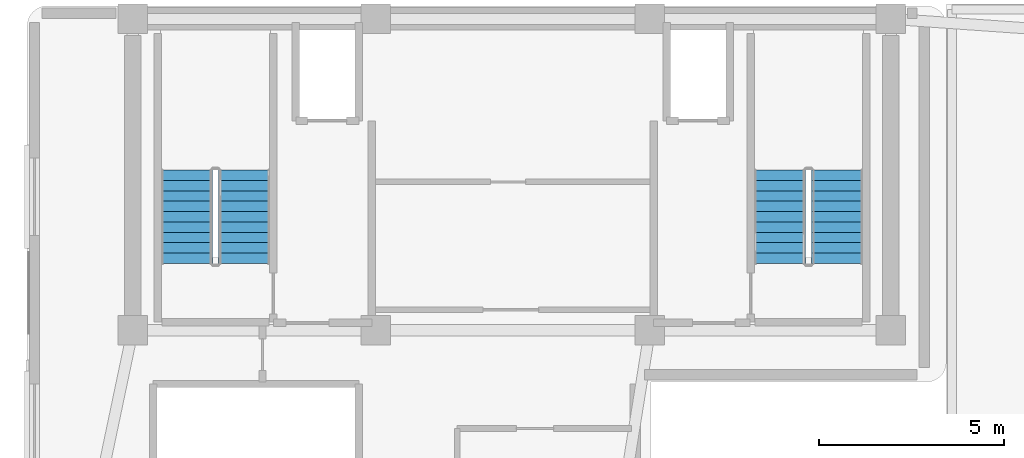
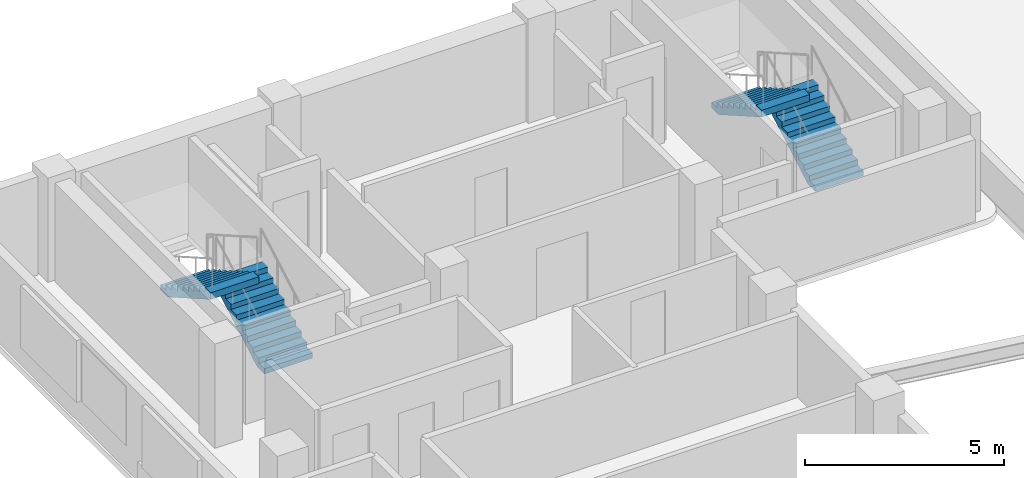
# One storey, part 4 of 6: 4 stair flights, 2 elements without a shape of their own.
"""IFC4 building model written with IfcOpenShell, lengths in metres."""

import ifcopenshell
import ifcopenshell.guid

model = None  # the IFC model being written
_history = None  # IfcOwnerHistory: only IFC2X3 demands one
_inside = {}  # id of a spatial element -> (the spatial element, [elements in it])
_under = {}  # id of a project, library or spatial element -> (it, [spatial elements below it])
_declared = {}  # id of a project -> (the project, [libraries it declares])
_typed = {}  # id of a type object -> (the type object, [elements of that type])
_made_of = {}  # id of a material, layer set ... -> (it, [elements and type objects made of it])


def new_model(schema):
    """Start an empty IFC model of exactly this schema.

    Asked for "IFC4X3", IfcOpenShell would pick the latest addendum, in which some entities
    have other attributes; the version numbers below select the first issue.
    IFC2X3 requires an IfcOwnerHistory on every rooted entity: one is made here for all.
    """
    global model, _history
    if schema == "IFC4X3":
        model = ifcopenshell.file(schema_version=(4, 3, 0, 0))
    else:
        model = ifcopenshell.file(schema=schema)
    _inside.clear()
    _under.clear()
    _declared.clear()
    _typed.clear()
    _made_of.clear()
    _history = None
    if model.schema == "IFC2X3":
        org = make("IfcOrganization", Name="unknown")
        user = make(
            "IfcPersonAndOrganization",
            ThePerson=make("IfcPerson", FamilyName="unknown"),
            TheOrganization=org,
        )
        app = make(
            "IfcApplication",
            ApplicationDeveloper=org,
            Version="unknown",
            ApplicationFullName="unknown",
            ApplicationIdentifier="unknown",
        )
        _history = make(
            "IfcOwnerHistory",
            OwningUser=user,
            OwningApplication=app,
            ChangeAction="ADDED",
            CreationDate=0,
        )
    return model


def make(cls, **values):
    """One entity of the class cls with the attributes given. An attribute that is None is left unset."""
    return model.create_entity(
        cls, **{name: value for name, value in values.items() if value is not None}
    )


def rooted(cls, **values):
    """An entity with a GlobalId (a new one), such as an element, a storey or a relation."""
    return make(cls, GlobalId=ifcopenshell.guid.new(), OwnerHistory=_history, **values)


def si_unit(unit_type, name, prefix=None):
    """IfcSIUnit, for example si_unit("LENGTHUNIT", "METRE", prefix="MILLI")."""
    return make("IfcSIUnit", UnitType=unit_type, Prefix=prefix, Name=name)


def assignment(units):
    """IfcUnitAssignment: the units of a project."""
    return None if units is None else make("IfcUnitAssignment", Units=units)


def point(xyz):
    """IfcCartesianPoint."""
    return None if xyz is None else make("IfcCartesianPoint", Coordinates=xyz)


def direction(xyz):
    """IfcDirection."""
    return None if xyz is None else make("IfcDirection", DirectionRatios=xyz)


def frame(location, z_axis=None, x_axis=None):
    """IfcAxis2Placement3D, a coordinate frame: its origin and axes. An axis left out is left unset."""
    return make(
        "IfcAxis2Placement3D",
        Location=point(location),
        Axis=direction(z_axis),
        RefDirection=direction(x_axis),
    )


def origin():
    """The frame at (0, 0, 0) with its axes left unset."""
    return frame((0.0, 0.0, 0.0))


def place(relative_to, where):
    """IfcLocalPlacement: puts the frame where relative to a parent placement (None: the world)."""
    return make(
        "IfcLocalPlacement", PlacementRelTo=relative_to, RelativePlacement=where
    )


def context(
    kind, dimensions, precision=None, world=None, true_north=None, identifier=None
):
    """IfcGeometricRepresentationContext, for example the 3D "Model" context."""
    return make(
        "IfcGeometricRepresentationContext",
        ContextIdentifier=identifier,
        ContextType=kind,
        CoordinateSpaceDimension=dimensions,
        Precision=precision,
        WorldCoordinateSystem=world,
        TrueNorth=true_north,
    )


def subcontext(parent, identifier, kind, view, scale=None):
    """IfcGeometricRepresentationSubContext, for example "Body" below "Model"."""
    return make(
        "IfcGeometricRepresentationSubContext",
        ContextIdentifier=identifier,
        ContextType=kind,
        ParentContext=parent,
        TargetScale=scale,
        TargetView=view,
    )


def project(units=None, contexts=None):
    """IfcProject with its units and contexts."""
    return rooted(
        "IfcProject",
        Name="project",
        RepresentationContexts=contexts,
        UnitsInContext=assignment(units),
    )


def spatial(cls, under=None, at=None, **own):
    """A site, building, storey or space (cls), placed at a placement, below another one or the project."""
    s = rooted(cls, ObjectPlacement=at, **own)
    if under is not None:
        _under.setdefault(under.id(), (under, []))[1].append(s)
    return s


def polyline(points):
    """IfcPolyline through the points."""
    return make("IfcPolyline", Points=[point(p) for p in points])


def outline(outer, holes=None, kind="AREA"):
    """IfcArbitraryClosedProfileDef: a profile drawn as a closed curve; with holes, ...WithVoids."""
    if holes is None:
        return make("IfcArbitraryClosedProfileDef", ProfileType=kind, OuterCurve=outer)
    return make(
        "IfcArbitraryProfileDefWithVoids",
        ProfileType=kind,
        OuterCurve=outer,
        InnerCurves=holes,
    )


def extrude(swept, where, along, depth):
    """IfcExtrudedAreaSolid: the profile swept, set in the frame where, extruded along a direction by depth."""
    return make(
        "IfcExtrudedAreaSolid",
        SweptArea=swept,
        Position=where,
        ExtrudedDirection=direction(along),
        Depth=depth,
    )


def shape(context_of_items, identifier, shape_type, items):
    """IfcShapeRepresentation: the items that make up one representation, for example the "Body"."""
    return make(
        "IfcShapeRepresentation",
        ContextOfItems=context_of_items,
        RepresentationIdentifier=identifier,
        RepresentationType=shape_type,
        Items=items,
    )


def material(Name=None, Category=None):
    """IfcMaterial."""
    return make("IfcMaterial", Name=Name, Category=Category)


def made_of(thing, what):
    """Note that an element or type object is made of a material, layer set ...; save() writes the relation."""
    if what is not None:
        _made_of.setdefault(what.id(), (what, []))[1].append(thing)
    return thing


def type_object(cls, material=None, **own):
    """A type object (cls), such as IfcWallType, which elements share."""
    return made_of(rooted(cls, **own), material)


def element(
    cls,
    number,
    at=None,
    inside=None,
    cuts=None,
    type_object=None,
    material=None,
    context=None,
    identifier="Body",
    shape_type=None,
    held_by="IfcProductDefinitionShape",
    body=None,
    shapes=None,
    **own,
):
    """One element of the class cls, such as IfcWall. Its Tag is "e" and its number.

    at: its placement. inside: the storey or other place that contains it. cuts: it is an
    opening in that element (IfcRelVoidsElement). A single representation is given by context,
    identifier, shape_type and body (its items); several are given by shapes. held_by: the class
    of the entity that holds the representations. save() writes the other relations.
    """
    e = rooted(cls, Tag="e%d" % number, ObjectPlacement=at, **own)
    if body is not None:
        shapes = [shape(context, identifier, shape_type, body)]
    if shapes is not None:
        e.Representation = make(held_by, Representations=shapes)
    if inside is not None:
        _inside.setdefault(inside.id(), (inside, []))[1].append(e)
    if cuts is not None:
        rooted(
            "IfcRelVoidsElement", RelatingBuildingElement=cuts, RelatedOpeningElement=e
        )
    if type_object is not None:
        _typed.setdefault(type_object.id(), (type_object, []))[1].append(e)
    return made_of(e, material)


def aggregate(whole, parts):
    """IfcRelAggregates: a whole, such as a stair, and the parts it consists of."""
    return rooted("IfcRelAggregates", RelatingObject=whole, RelatedObjects=parts)


def save(model, path):
    """Write the relations noted so far, then the file.

    IfcRelAggregates (storeys below a building ...), IfcRelContainedInSpatialStructure (elements
    in a storey), IfcRelDefinesByType, IfcRelAssociatesMaterial and IfcRelDeclares: one each for
    every whole, place, type object, material and project.
    """
    for whole, parts in _under.values():
        aggregate(whole, parts)
    for where, things in _inside.values():
        rooted(
            "IfcRelContainedInSpatialStructure",
            RelatedElements=things,
            RelatingStructure=where,
        )
    for kind, things in _typed.values():
        rooted("IfcRelDefinesByType", RelatedObjects=things, RelatingType=kind)
    for what, things in _made_of.values():
        rooted("IfcRelAssociatesMaterial", RelatedObjects=things, RelatingMaterial=what)
    for by, libraries in _declared.values():
        rooted("IfcRelDeclares", RelatingContext=by, RelatedDefinitions=libraries)
    model.write(path)


model = new_model("IFC4")

# Units and contexts
model_context = context("Model", 3, precision=1e-05, world=origin(), true_north=direction((0.0, 1.0)))
body_context = subcontext(model_context, "Body", "Model", "MODEL_VIEW")
ifc_project = project(units=[si_unit("LENGTHUNIT", "METRE"), si_unit("AREAUNIT", "SQUARE_METRE"), si_unit("VOLUMEUNIT", "CUBIC_METRE"), si_unit("PLANEANGLEUNIT", "RADIAN"), si_unit("MASSUNIT", "GRAM", prefix="KILO")], contexts=[model_context])

# Site, building, storey
site_placement = place(None, origin())
site = spatial("IfcSite", under=ifc_project, at=site_placement, CompositionType="ELEMENT")
building_placement = place(site_placement, origin())
building = spatial("IfcBuilding", under=site, at=building_placement, Name="Kuzgunbayir Cultural Tower", CompositionType="ELEMENT")
storey_placement = place(building_placement, frame((0.0, 0.0, 204.800048828125)))
storey = spatial("IfcBuildingStorey", under=building, at=storey_placement, Name="L60", CompositionType="ELEMENT", Elevation=204.800048828125)

# Stair, stair flights
ifc_material = material(Name="Concrete C40/50", Category="concrete")
stair_type = type_object("IfcStairType", Name="STR-EXIT-CORE", PredefinedType="HALF_TURN_STAIR", material=ifc_material)
stair_1_placement = place(storey_placement, origin())
stair_1 = element("IfcStair", 1, at=stair_1_placement, inside=storey, type_object=stair_type, Name="L60 ST-1", PredefinedType="HALF_TURN_STAIR")
stair_flight_type = type_object("IfcStairFlightType", Name="STRF-RC-140", PredefinedType="STRAIGHT", material=ifc_material)
stair_flight_1_placement = place(storey_placement, frame((9.4599609375, 35.60009765625, 0.0), z_axis=(0.0, 0.0, 1.0), x_axis=(0.0, 1.0, 0.0)))
stair_flight_1 = element("IfcStairFlight", 2, at=stair_flight_1_placement, type_object=stair_flight_type, Name="ST-1 flight 1", NumberOfRisers=10, NumberOfTreads=9, PredefinedType="STRAIGHT", RiserHeight=0.16, TreadLength=0.28, context=body_context, shape_type="SweptSolid", body=[
    extrude(outline(polyline([(0.0, 0.0), (0.0, 0.159912109375), (0.280029296875, 0.159912109375), (0.280029296875, 0.320068359375), (0.56005859375, 0.320068359375), (0.56005859375, 0.47998046875), (0.840087890625, 0.47998046875), (0.840087890625, 0.639892578125), (1.1201171875, 0.639892578125), (1.1201171875, 0.800048828125), (1.39990234375, 0.800048828125), (1.39990234375, 0.9599609375), (1.679931640625, 0.9599609375), (1.679931640625, 1.1201171875), (1.9599609375, 1.1201171875), (1.9599609375, 1.280029296875), (2.239990234375, 1.280029296875), (2.239990234375, 1.43994140625), (2.52001953125, 1.43994140625), (2.52001953125, 1.60009765625), (2.52001953125, 1.232666015625), (0.362548828125, 0.0), (0.0, 0.0)])), frame((0.0, 0.699951171875, 0.0), z_axis=(0.0, -1.0, 0.0), x_axis=(1.0, 0.0, 0.0)), (0.0, 0.0, 1.0), 1.39990234375),
])
stair_flight_2_placement = place(storey_placement, frame((7.89990234375, 38.1201171875, 1.599853515625), z_axis=(0.0, 0.0, 1.0), x_axis=(0.0, -1.0, 0.0)))
stair_flight_2 = element("IfcStairFlight", 3, at=stair_flight_2_placement, type_object=stair_flight_type, Name="ST-1 flight 2", NumberOfRisers=10, NumberOfTreads=9, PredefinedType="STRAIGHT", RiserHeight=0.16, TreadLength=0.28, context=body_context, shape_type="SweptSolid", body=[
    extrude(outline(polyline([(0.0, 0.0), (0.0, 0.159912109375), (0.280029296875, 0.159912109375), (0.280029296875, 0.320068359375), (0.56005859375, 0.320068359375), (0.56005859375, 0.47998046875), (0.840087890625, 0.47998046875), (0.840087890625, 0.639892578125), (1.1201171875, 0.639892578125), (1.1201171875, 0.800048828125), (1.39990234375, 0.800048828125), (1.39990234375, 0.9599609375), (1.679931640625, 0.9599609375), (1.679931640625, 1.1201171875), (1.9599609375, 1.1201171875), (1.9599609375, 1.280029296875), (2.239990234375, 1.280029296875), (2.239990234375, 1.43994140625), (2.52001953125, 1.43994140625), (2.52001953125, 1.60009765625), (2.52001953125, 1.232666015625), (0.362548828125, 0.0), (0.0, 0.0)])), frame((0.0, 0.699951171875, 0.0), z_axis=(0.0, -1.0, 0.0), x_axis=(1.0, 0.0, 0.0)), (0.0, 0.0, 1.0), 1.39990234375),
])
aggregate(stair_1, [stair_flight_1, stair_flight_2])

stair_2_placement = place(storey_placement, origin())
stair_2 = element("IfcStair", 4, at=stair_2_placement, inside=storey, type_object=stair_type, Name="L60 ST-2", PredefinedType="HALF_TURN_STAIR")
stair_flight_3_placement = place(storey_placement, frame((25.4599609375, 35.60009765625, 0.0), z_axis=(0.0, 0.0, 1.0), x_axis=(0.0, 1.0, 0.0)))
stair_flight_3 = element("IfcStairFlight", 5, at=stair_flight_3_placement, type_object=stair_flight_type, Name="ST-2 flight 1", NumberOfRisers=10, NumberOfTreads=9, PredefinedType="STRAIGHT", RiserHeight=0.16, TreadLength=0.28, context=body_context, shape_type="SweptSolid", body=[
    extrude(outline(polyline([(0.0, 0.0), (0.0, 0.159912109375), (0.280029296875, 0.159912109375), (0.280029296875, 0.320068359375), (0.56005859375, 0.320068359375), (0.56005859375, 0.47998046875), (0.840087890625, 0.47998046875), (0.840087890625, 0.639892578125), (1.1201171875, 0.639892578125), (1.1201171875, 0.800048828125), (1.39990234375, 0.800048828125), (1.39990234375, 0.9599609375), (1.679931640625, 0.9599609375), (1.679931640625, 1.1201171875), (1.9599609375, 1.1201171875), (1.9599609375, 1.280029296875), (2.239990234375, 1.280029296875), (2.239990234375, 1.43994140625), (2.52001953125, 1.43994140625), (2.52001953125, 1.60009765625), (2.52001953125, 1.232666015625), (0.362548828125, 0.0), (0.0, 0.0)])), frame((0.0, 0.699951171875, 0.0), z_axis=(0.0, -1.0, 0.0), x_axis=(1.0, 0.0, 0.0)), (0.0, 0.0, 1.0), 1.39990234375),
])
stair_flight_4_placement = place(storey_placement, frame((23.89990234375, 38.1201171875, 1.599853515625), z_axis=(0.0, 0.0, 1.0), x_axis=(0.0, -1.0, 0.0)))
stair_flight_4 = element("IfcStairFlight", 6, at=stair_flight_4_placement, type_object=stair_flight_type, Name="ST-2 flight 2", NumberOfRisers=10, NumberOfTreads=9, PredefinedType="STRAIGHT", RiserHeight=0.16, TreadLength=0.28, context=body_context, shape_type="SweptSolid", body=[
    extrude(outline(polyline([(0.0, 0.0), (0.0, 0.159912109375), (0.280029296875, 0.159912109375), (0.280029296875, 0.320068359375), (0.56005859375, 0.320068359375), (0.56005859375, 0.47998046875), (0.840087890625, 0.47998046875), (0.840087890625, 0.639892578125), (1.1201171875, 0.639892578125), (1.1201171875, 0.800048828125), (1.39990234375, 0.800048828125), (1.39990234375, 0.9599609375), (1.679931640625, 0.9599609375), (1.679931640625, 1.1201171875), (1.9599609375, 1.1201171875), (1.9599609375, 1.280029296875), (2.239990234375, 1.280029296875), (2.239990234375, 1.43994140625), (2.52001953125, 1.43994140625), (2.52001953125, 1.60009765625), (2.52001953125, 1.232666015625), (0.362548828125, 0.0), (0.0, 0.0)])), frame((0.0, 0.699951171875, 0.0), z_axis=(0.0, -1.0, 0.0), x_axis=(1.0, 0.0, 0.0)), (0.0, 0.0, 1.0), 1.39990234375),
])
aggregate(stair_2, [stair_flight_3, stair_flight_4])

save(model, "model.ifc")
